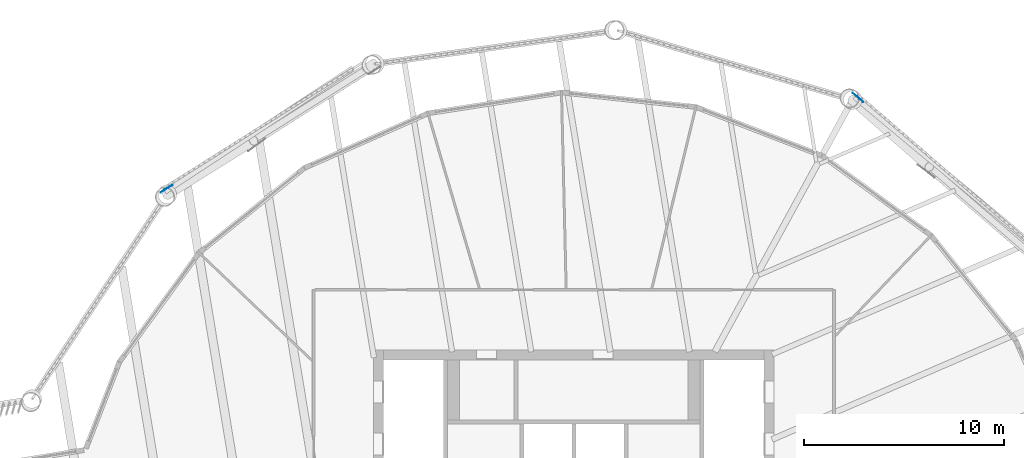
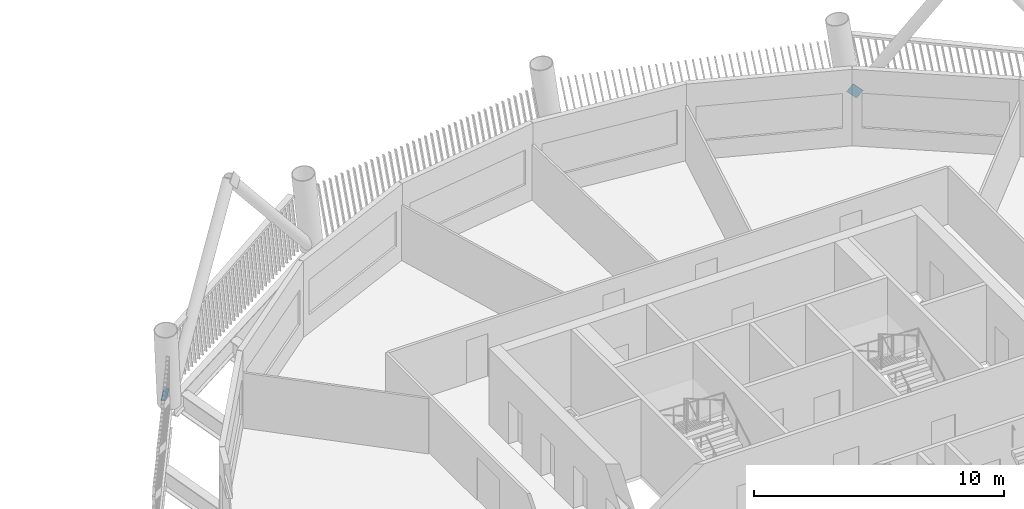
# One storey, part 15 of 23: 2 discrete accessories.
"""IFC4 building model written with IfcOpenShell, lengths in metres."""

from ifc_helpers import new_model, si_unit, direction, frame, origin, origin_2d, place, context, subcontext, project, spatial, rectangle, extrude, material, material_profile, profile_set, type_object, element, save


model = new_model("IFC4")

# Units and contexts
model_context = context("Model", 3, precision=1e-05, world=origin(), true_north=direction((0.0, 1.0)))
body_context = subcontext(model_context, "Body", "Model", "MODEL_VIEW")
ifc_project = project(units=[si_unit("LENGTHUNIT", "METRE"), si_unit("AREAUNIT", "SQUARE_METRE"), si_unit("VOLUMEUNIT", "CUBIC_METRE"), si_unit("PLANEANGLEUNIT", "RADIAN"), si_unit("MASSUNIT", "GRAM", prefix="KILO")], contexts=[model_context])

# Site, building, storey
site_placement = place(None, origin())
site = spatial("IfcSite", under=ifc_project, at=site_placement, CompositionType="ELEMENT")
building_placement = place(site_placement, origin())
building = spatial("IfcBuilding", under=site, at=building_placement, Name="Tarsis Ring Headquarters", CompositionType="ELEMENT")
storey_placement = place(building_placement, frame((0.0, 0.0, 323.60009765625)))
storey = spatial("IfcBuildingStorey", under=building, at=storey_placement, Name="L76", CompositionType="ELEMENT", Elevation=323.60009765625)

# Discrete accessories
ifc_material = material(Name="Structural steel S355", Category="steel")
ifc_material_profile = material_profile(ifc_material, rectangle(XDim=0.02490234375, YDim=0.5, at=origin_2d()), Name="PL 25x500")
ifc_profile_set = profile_set([ifc_material_profile], Name="Structural steel S355")
discrete_accessory_type = type_object("IfcDiscreteAccessoryType", Name="Gusset plate Exo brace 25", PredefinedType="BRACKET", material=ifc_profile_set)
for number, where, z_axis, x_axis, name in (
    (1, (14.097900390625, 25.695556640625, 0.0), (0.412708761911, -0.358983360952, 0.837139429486), (0.656289240405, 0.754509398833, 0.0), "Gusset plate GP5"),
    (2, (-20.4609375, 20.98486328125, 0.0), (0.463997688829, 0.289632241554, 0.837149514372), (-0.529517265419, 0.848299160452, 0.0), "Gusset plate GP5"),
):
    element("IfcDiscreteAccessory", number, at=place(storey_placement, frame(where, z_axis=z_axis, x_axis=x_axis)), inside=storey, type_object=discrete_accessory_type, Name=name, PredefinedType="BRACKET", context=body_context, shape_type="SweptSolid", body=[
        extrude(rectangle(XDim=0.02490234375, YDim=0.5, at=origin_2d()), origin(), (0.0, 0.0, 1.0), 0.499755859375),
    ])

save(model, "model.ifc")
